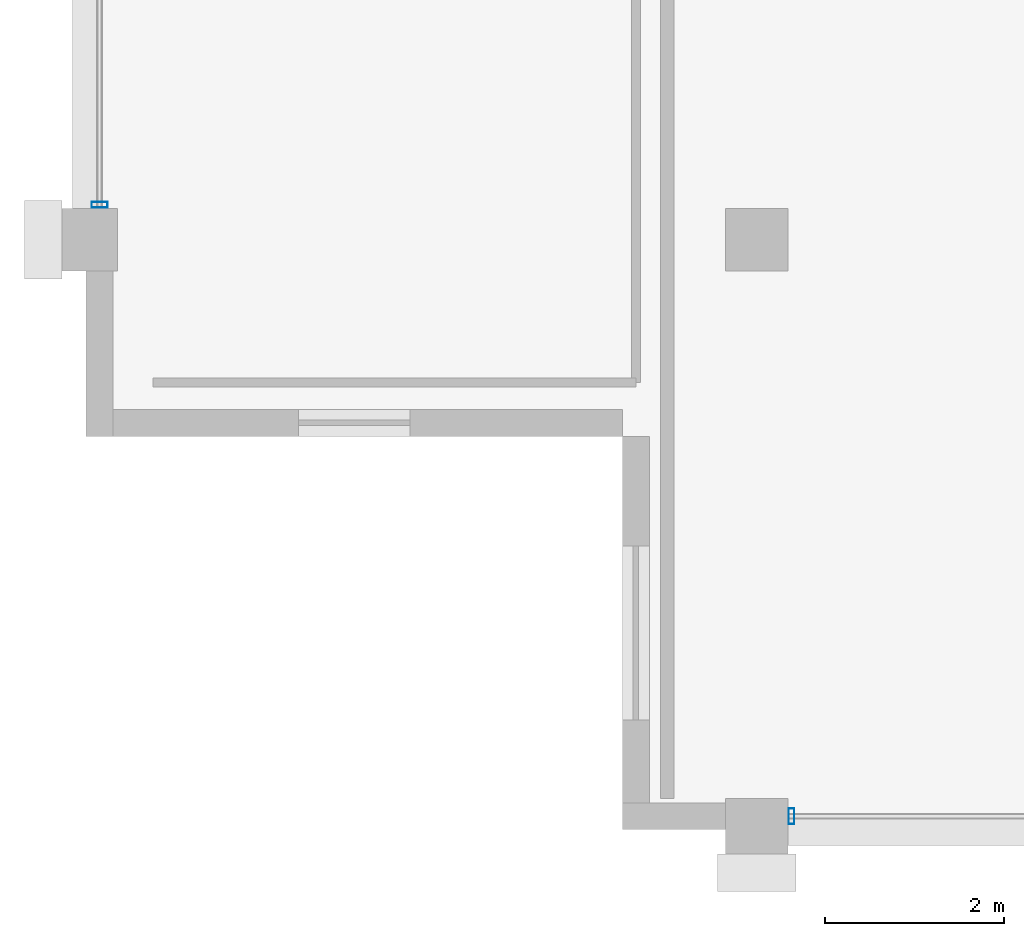
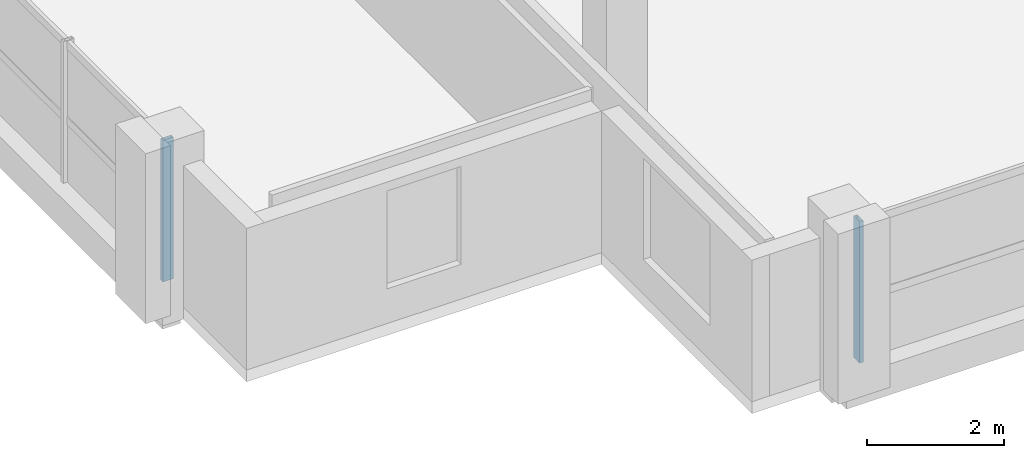
# One storey, part 2 of 24: 2 members, 2 elements without a shape of their own.
"""IFC4 building model written with IfcOpenShell, lengths in metres."""

from ifc_helpers import new_model, si_unit, direction, frame, origin, origin_2d, place, context, subcontext, project, spatial, hollow_rectangle, extrude, material, material_profile, profile_set, type_object, element, aggregate, save


model = new_model("IFC4")

# Units and contexts
model_context = context("Model", 3, precision=1e-05, world=origin(), true_north=direction((0.0, 1.0)))
body_context = subcontext(model_context, "Body", "Model", "MODEL_VIEW")
ifc_project = project(units=[si_unit("LENGTHUNIT", "METRE"), si_unit("AREAUNIT", "SQUARE_METRE"), si_unit("VOLUMEUNIT", "CUBIC_METRE"), si_unit("PLANEANGLEUNIT", "RADIAN"), si_unit("MASSUNIT", "GRAM", prefix="KILO")], contexts=[model_context])

# Site, building, storey
site_placement = place(None, origin())
site = spatial("IfcSite", under=ifc_project, at=site_placement, CompositionType="ELEMENT")
building_placement = place(site_placement, origin())
building = spatial("IfcBuilding", under=site, at=building_placement, Name="Akrevak Sports Hall", CompositionType="ELEMENT")
storey_placement = place(building_placement, frame((0.0, 0.0, 60.050048828125)))
storey = spatial("IfcBuildingStorey", under=building, at=storey_placement, Name="L15", CompositionType="ELEMENT", Elevation=60.050048828125)

# Curtain wall, member
ifc_material_1 = material(Name="Anodized Bronze Aluminium & Low-E Glass", Category="aluminium")
curtain_wall_type = type_object("IfcCurtainWallType", Name="ARC-CW-TWR-56x30", PredefinedType="NOTDEFINED", material=ifc_material_1)
curtain_wall_1_placement = place(storey_placement, origin())
curtain_wall_1 = element("IfcCurtainWall", 1, at=curtain_wall_1_placement, inside=storey, type_object=curtain_wall_type, Name="Curtain Wall CW-L15-S02", PredefinedType="NOTDEFINED")
ifc_material_2 = material(Name="Anodized Bronze Aluminium", Category="aluminium")
ifc_material_profile = material_profile(ifc_material_2, hollow_rectangle(XDim=0.06494140625, YDim=0.179931640625, WallThickness=0.00390625, at=origin_2d()), Name="CWM 65x180", Category="aluminium")
ifc_profile_set = profile_set([ifc_material_profile], Name="Anodized Bronze Aluminium")
member_type = type_object("IfcMemberType", Name="ARC-CWM-65x140", PredefinedType="MULLION", material=ifc_profile_set)
member_1_placement = place(storey_placement, frame((60.389892578125, 35.550048828125, 0.0), z_axis=(0.0, 0.0, 1.0), x_axis=(1.0, 0.0, 0.0)))
member_1 = element("IfcMember", 2, at=member_1_placement, type_object=member_type, Name="Curtain Wall Mullion CW-L15-S02-M1", PredefinedType="MULLION", context=body_context, shape_type="SweptSolid", body=[
    extrude(hollow_rectangle(XDim=0.06494140625, YDim=0.179931640625, WallThickness=0.00390625, at=origin_2d()), origin(), (0.0, 0.0, 1.0), 2.530029296875),
])
aggregate(curtain_wall_1, [member_1])

curtain_wall_2_placement = place(storey_placement, origin())
curtain_wall_2 = element("IfcCurtainWall", 3, at=curtain_wall_2_placement, inside=storey, type_object=curtain_wall_type, Name="Curtain Wall CW-L15-W29", PredefinedType="NOTDEFINED")
member_2_placement = place(storey_placement, frame((52.64990234375, 42.389892578125, 0.0), z_axis=(0.0, 0.0, 1.0), x_axis=(0.0, -1.0, 0.0)))
member_2 = element("IfcMember", 4, at=member_2_placement, type_object=member_type, Name="Curtain Wall Mullion CW-L15-W29-M3", PredefinedType="MULLION", context=body_context, shape_type="SweptSolid", body=[
    extrude(hollow_rectangle(XDim=0.06494140625, YDim=0.179931640625, WallThickness=0.00390625, at=origin_2d()), origin(), (0.0, 0.0, 1.0), 2.530029296875),
])
aggregate(curtain_wall_2, [member_2])

save(model, "model.ifc")
